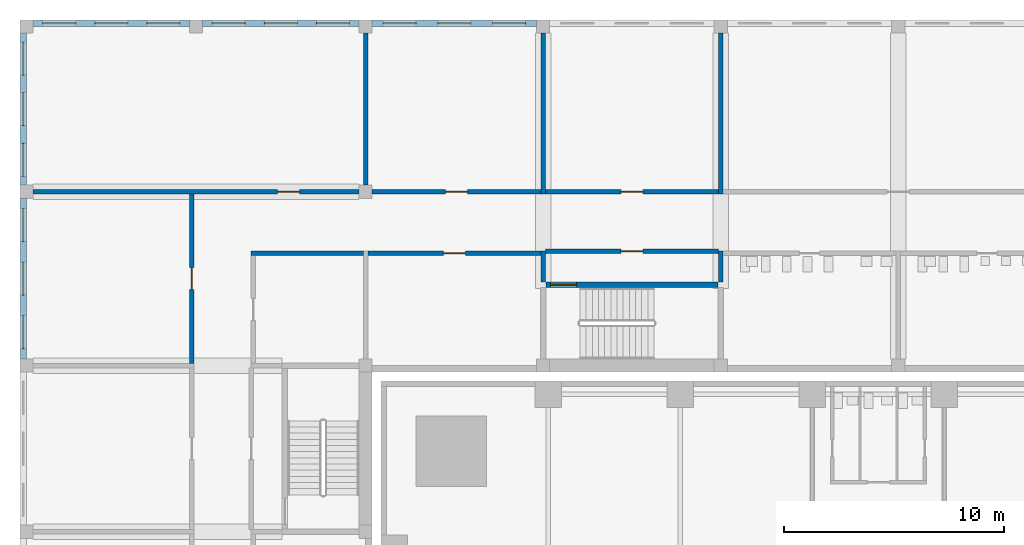
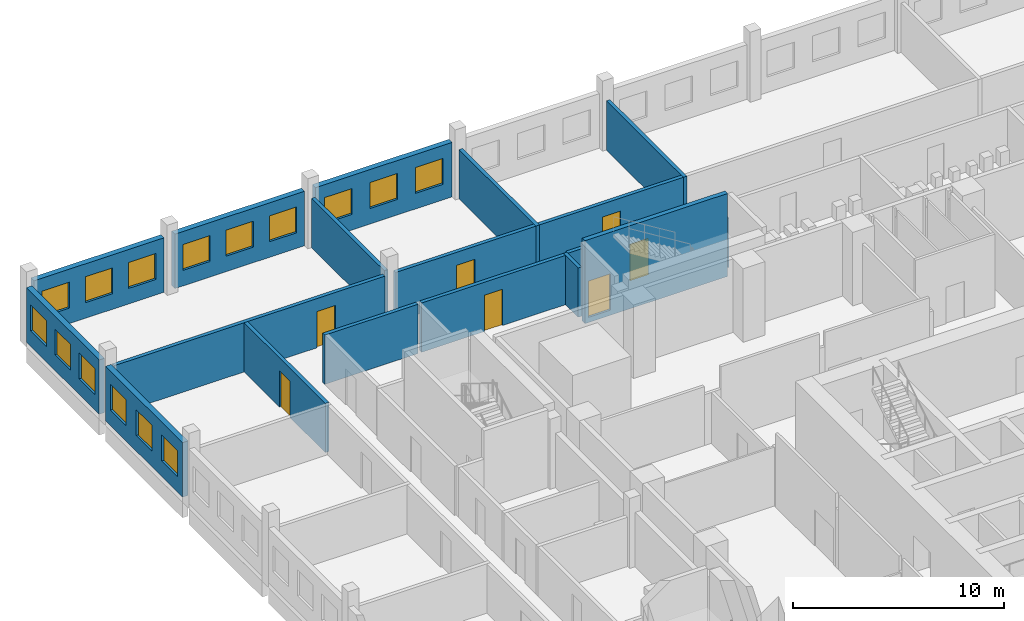
# One storey, part 16 of 24: 18 walls, 15 windows, 7 doors, 22 openings.
"""IFC4 building model written with IfcOpenShell, lengths in metres."""

from ifc_helpers import new_model, si_unit, direction, frame, frame_2d, origin, place, context, subcontext, project, spatial, rectangle, extrude, material, layer, layer_set, type_object, element, fill, save


model = new_model("IFC4")

# Units and contexts
model_context = context("Model", 3, precision=1e-05, world=origin(), true_north=direction((0.0, 1.0)))
body_context = subcontext(model_context, "Body", "Model", "MODEL_VIEW")
ifc_project = project(units=[si_unit("LENGTHUNIT", "METRE"), si_unit("AREAUNIT", "SQUARE_METRE"), si_unit("VOLUMEUNIT", "CUBIC_METRE"), si_unit("PLANEANGLEUNIT", "RADIAN"), si_unit("MASSUNIT", "GRAM", prefix="KILO")], contexts=[model_context])

# Site, building, storey
site_placement = place(None, origin())
site = spatial("IfcSite", under=ifc_project, at=site_placement, CompositionType="ELEMENT")
building_placement = place(site_placement, origin())
building = spatial("IfcBuilding", under=site, at=building_placement, Name="Amberfall Residences", CompositionType="ELEMENT")
storey_placement = place(building_placement, frame((0.0, 0.0, 19.0)))
storey = spatial("IfcBuildingStorey", under=building, at=storey_placement, Name="L04", CompositionType="ELEMENT", Elevation=19.0)

# Wall, openings, windows
ifc_material_1 = material(Name="Aerated block wall")
ifc_layer_1 = layer(ifc_material_1, 0.300048828125)
ifc_layer_set_1 = layer_set([ifc_layer_1], Name="School external wall 300")
wall_type_1 = type_object("IfcWallType", Name="School external wall 300", PredefinedType="SOLIDWALL", material=ifc_layer_set_1)
wall_1_placement = place(storey_placement, frame((35.75, 69.0, 0.0), z_axis=(0.0, 0.0, 1.0), x_axis=(0.0, 1.0, 0.0)))
wall_1 = element("IfcWall", 1, at=wall_1_placement, inside=storey, type_object=wall_type_1, Name="School external wall L04 EW8", PredefinedType="SOLIDWALL", context=body_context, shape_type="SweptSolid", body=[
    extrude(rectangle(XDim=7.300048828125, YDim=0.300048828125, at=frame_2d((3.64990234375, 0.0))), origin(), (0.0, 0.0, 1.0), 3.14990234375),
])
opening_1_placement = place(wall_1_placement, frame((0.466796875, 0.0, 0.89990234375)))
opening_1 = element("IfcOpeningElement", 2, at=opening_1_placement, cuts=wall_1, Name="Opening SWN1", PredefinedType="OPENING", context=body_context, shape_type="SweptSolid", body=[
    extrude(rectangle(XDim=1.5, YDim=1.5, at=frame_2d((0.75, 0.75))), frame((0.0, 0.159912109375, 0.0), z_axis=(0.0, -1.0, 0.0), x_axis=(1.0, 0.0, 0.0)), (0.0, 0.0, 1.0), 0.320068359375),
])
opening_2_placement = place(wall_1_placement, frame((2.89990234375, 0.0, 0.89990234375)))
opening_2 = element("IfcOpeningElement", 3, at=opening_2_placement, cuts=wall_1, Name="Opening SWN1", PredefinedType="OPENING", context=body_context, shape_type="SweptSolid", body=[
    extrude(rectangle(XDim=1.5, YDim=1.5, at=frame_2d((0.75, 0.75))), frame((0.0, 0.159912109375, 0.0), z_axis=(0.0, -1.0, 0.0), x_axis=(1.0, 0.0, 0.0)), (0.0, 0.0, 1.0), 0.320068359375),
])
opening_3_placement = place(wall_1_placement, frame((5.333251953125, 0.0, 0.89990234375)))
opening_3 = element("IfcOpeningElement", 4, at=opening_3_placement, cuts=wall_1, Name="Opening SWN1", PredefinedType="OPENING", context=body_context, shape_type="SweptSolid", body=[
    extrude(rectangle(XDim=1.5, YDim=1.5, at=frame_2d((0.75, 0.75))), frame((0.0, 0.159912109375, 0.0), z_axis=(0.0, -1.0, 0.0), x_axis=(1.0, 0.0, 0.0)), (0.0, 0.0, 1.0), 0.320068359375),
])
ifc_material_2 = material(Name="Aluminium window", Category="aluminium")
window_type = type_object("IfcWindowType", Name="School window 1500 x 1500", PartitioningType="DOUBLE_PANEL_HORIZONTAL", PredefinedType="WINDOW", material=ifc_material_2)
window_1_placement = place(opening_1_placement, origin())
window_1 = element("IfcWindow", 5, at=window_1_placement, inside=storey, type_object=window_type, Name="School window L04 EW8-1", OverallHeight=1.5, OverallWidth=1.5, PartitioningType="DOUBLE_PANEL_HORIZONTAL", PredefinedType="WINDOW", context=body_context, shape_type="SweptSolid", body=[
    extrude(rectangle(XDim=1.5, YDim=1.5, at=frame_2d((0.75, 0.75))), frame((0.0, 0.030029296875, 0.0), z_axis=(0.0, -1.0, 0.0), x_axis=(1.0, 0.0, 0.0)), (0.0, 0.0, 1.0), 0.06005859375),
])
fill(opening_1, window_1)
window_2_placement = place(opening_2_placement, origin())
window_2 = element("IfcWindow", 6, at=window_2_placement, inside=storey, type_object=window_type, Name="School window L04 EW8-2", OverallHeight=1.5, OverallWidth=1.5, PartitioningType="DOUBLE_PANEL_HORIZONTAL", PredefinedType="WINDOW", context=body_context, shape_type="SweptSolid", body=[
    extrude(rectangle(XDim=1.5, YDim=1.5, at=frame_2d((0.75, 0.75))), frame((0.0, 0.030029296875, 0.0), z_axis=(0.0, -1.0, 0.0), x_axis=(1.0, 0.0, 0.0)), (0.0, 0.0, 1.0), 0.06005859375),
])
fill(opening_2, window_2)
window_3_placement = place(opening_3_placement, origin())
window_3 = element("IfcWindow", 7, at=window_3_placement, inside=storey, type_object=window_type, Name="School window L04 EW8-3", OverallHeight=1.5, OverallWidth=1.5, PartitioningType="DOUBLE_PANEL_HORIZONTAL", PredefinedType="WINDOW", context=body_context, shape_type="SweptSolid", body=[
    extrude(rectangle(XDim=1.5, YDim=1.5, at=frame_2d((0.75, 0.75))), frame((0.0, 0.030029296875, 0.0), z_axis=(0.0, -1.0, 0.0), x_axis=(1.0, 0.0, 0.0)), (0.0, 0.0, 1.0), 0.06005859375),
])
fill(opening_3, window_3)

wall_2_placement = place(storey_placement, frame((35.75, 76.89990234375, 0.0), z_axis=(0.0, 0.0, 1.0), x_axis=(0.0, 1.0, 0.0)))
wall_2 = element("IfcWall", 8, at=wall_2_placement, inside=storey, type_object=wall_type_1, Name="School external wall L04 EW9", PredefinedType="SOLIDWALL", context=body_context, shape_type="SweptSolid", body=[
    extrude(rectangle(XDim=6.900146484375, YDim=0.300048828125, at=frame_2d((3.4501953125, 0.0))), origin(), (0.0, 0.0, 1.0), 3.14990234375),
])
opening_4_placement = place(wall_2_placement, frame((0.39990234375, 0.0, 0.89990234375)))
opening_4 = element("IfcOpeningElement", 9, at=opening_4_placement, cuts=wall_2, Name="Opening SWN1", PredefinedType="OPENING", context=body_context, shape_type="SweptSolid", body=[
    extrude(rectangle(XDim=1.5, YDim=1.5, at=frame_2d((0.75, 0.75))), frame((0.0, 0.159912109375, 0.0), z_axis=(0.0, -1.0, 0.0), x_axis=(1.0, 0.0, 0.0)), (0.0, 0.0, 1.0), 0.320068359375),
])
opening_5_placement = place(wall_2_placement, frame((2.699951171875, 0.0, 0.89990234375)))
opening_5 = element("IfcOpeningElement", 10, at=opening_5_placement, cuts=wall_2, Name="Opening SWN1", PredefinedType="OPENING", context=body_context, shape_type="SweptSolid", body=[
    extrude(rectangle(XDim=1.5, YDim=1.5, at=frame_2d((0.75, 0.75))), frame((0.0, 0.159912109375, 0.0), z_axis=(0.0, -1.0, 0.0), x_axis=(1.0, 0.0, 0.0)), (0.0, 0.0, 1.0), 0.320068359375),
])
opening_6_placement = place(wall_2_placement, frame((5.0, 0.0, 0.89990234375)))
opening_6 = element("IfcOpeningElement", 11, at=opening_6_placement, cuts=wall_2, Name="Opening SWN1", PredefinedType="OPENING", context=body_context, shape_type="SweptSolid", body=[
    extrude(rectangle(XDim=1.5, YDim=1.5, at=frame_2d((0.75, 0.75))), frame((0.0, 0.159912109375, 0.0), z_axis=(0.0, -1.0, 0.0), x_axis=(1.0, 0.0, 0.0)), (0.0, 0.0, 1.0), 0.320068359375),
])
window_4_placement = place(opening_4_placement, origin())
window_4 = element("IfcWindow", 12, at=window_4_placement, inside=storey, type_object=window_type, Name="School window L04 EW9-1", OverallHeight=1.5, OverallWidth=1.5, PartitioningType="DOUBLE_PANEL_HORIZONTAL", PredefinedType="WINDOW", context=body_context, shape_type="SweptSolid", body=[
    extrude(rectangle(XDim=1.5, YDim=1.5, at=frame_2d((0.75, 0.75))), frame((0.0, 0.030029296875, 0.0), z_axis=(0.0, -1.0, 0.0), x_axis=(1.0, 0.0, 0.0)), (0.0, 0.0, 1.0), 0.06005859375),
])
fill(opening_4, window_4)
window_5_placement = place(opening_5_placement, origin())
window_5 = element("IfcWindow", 13, at=window_5_placement, inside=storey, type_object=window_type, Name="School window L04 EW9-2", OverallHeight=1.5, OverallWidth=1.5, PartitioningType="DOUBLE_PANEL_HORIZONTAL", PredefinedType="WINDOW", context=body_context, shape_type="SweptSolid", body=[
    extrude(rectangle(XDim=1.5, YDim=1.5, at=frame_2d((0.75, 0.75))), frame((0.0, 0.030029296875, 0.0), z_axis=(0.0, -1.0, 0.0), x_axis=(1.0, 0.0, 0.0)), (0.0, 0.0, 1.0), 0.06005859375),
])
fill(opening_5, window_5)
window_6_placement = place(opening_6_placement, origin())
window_6 = element("IfcWindow", 14, at=window_6_placement, inside=storey, type_object=window_type, Name="School window L04 EW9-3", OverallHeight=1.5, OverallWidth=1.5, PartitioningType="DOUBLE_PANEL_HORIZONTAL", PredefinedType="WINDOW", context=body_context, shape_type="SweptSolid", body=[
    extrude(rectangle(XDim=1.5, YDim=1.5, at=frame_2d((0.75, 0.75))), frame((0.0, 0.030029296875, 0.0), z_axis=(0.0, -1.0, 0.0), x_axis=(1.0, 0.0, 0.0)), (0.0, 0.0, 1.0), 0.06005859375),
])
fill(opening_6, window_6)

wall_3_placement = place(storey_placement, frame((36.199951171875, 84.25, 0.0), z_axis=(0.0, 0.0, 1.0), x_axis=(1.0, 0.0, 0.0)))
wall_3 = element("IfcWall", 15, at=wall_3_placement, inside=storey, type_object=wall_type_1, Name="School external wall L04 EN0", PredefinedType="SOLIDWALL", context=body_context, shape_type="SweptSolid", body=[
    extrude(rectangle(XDim=7.10009765625, YDim=0.300048828125, at=frame_2d((3.550048828125, 0.0))), origin(), (0.0, 0.0, 1.0), 3.14990234375),
])
opening_7_placement = place(wall_3_placement, frame((0.433349609375, 0.0, 0.89990234375)))
opening_7 = element("IfcOpeningElement", 16, at=opening_7_placement, cuts=wall_3, Name="Opening SWN1", PredefinedType="OPENING", context=body_context, shape_type="SweptSolid", body=[
    extrude(rectangle(XDim=1.5, YDim=1.5, at=frame_2d((0.75, 0.75))), frame((0.0, 0.159912109375, 0.0), z_axis=(0.0, -1.0, 0.0), x_axis=(1.0, 0.0, 0.0)), (0.0, 0.0, 1.0), 0.320068359375),
])
opening_8_placement = place(wall_3_placement, frame((2.800048828125, 0.0, 0.89990234375)))
opening_8 = element("IfcOpeningElement", 17, at=opening_8_placement, cuts=wall_3, Name="Opening SWN1", PredefinedType="OPENING", context=body_context, shape_type="SweptSolid", body=[
    extrude(rectangle(XDim=1.5, YDim=1.5, at=frame_2d((0.75, 0.75))), frame((0.0, 0.159912109375, 0.0), z_axis=(0.0, -1.0, 0.0), x_axis=(1.0, 0.0, 0.0)), (0.0, 0.0, 1.0), 0.320068359375),
])
opening_9_placement = place(wall_3_placement, frame((5.166748046875, 0.0, 0.89990234375)))
opening_9 = element("IfcOpeningElement", 18, at=opening_9_placement, cuts=wall_3, Name="Opening SWN1", PredefinedType="OPENING", context=body_context, shape_type="SweptSolid", body=[
    extrude(rectangle(XDim=1.5, YDim=1.5, at=frame_2d((0.75, 0.75))), frame((0.0, 0.159912109375, 0.0), z_axis=(0.0, -1.0, 0.0), x_axis=(1.0, 0.0, 0.0)), (0.0, 0.0, 1.0), 0.320068359375),
])
window_7_placement = place(opening_7_placement, origin())
window_7 = element("IfcWindow", 19, at=window_7_placement, inside=storey, type_object=window_type, Name="School window L04 EN0-1", OverallHeight=1.5, OverallWidth=1.5, PartitioningType="DOUBLE_PANEL_HORIZONTAL", PredefinedType="WINDOW", context=body_context, shape_type="SweptSolid", body=[
    extrude(rectangle(XDim=1.5, YDim=1.5, at=frame_2d((0.75, 0.75))), frame((0.0, 0.030029296875, 0.0), z_axis=(0.0, -1.0, 0.0), x_axis=(1.0, 0.0, 0.0)), (0.0, 0.0, 1.0), 0.06005859375),
])
fill(opening_7, window_7)
window_8_placement = place(opening_8_placement, origin())
window_8 = element("IfcWindow", 20, at=window_8_placement, inside=storey, type_object=window_type, Name="School window L04 EN0-2", OverallHeight=1.5, OverallWidth=1.5, PartitioningType="DOUBLE_PANEL_HORIZONTAL", PredefinedType="WINDOW", context=body_context, shape_type="SweptSolid", body=[
    extrude(rectangle(XDim=1.5, YDim=1.5, at=frame_2d((0.75, 0.75))), frame((0.0, 0.030029296875, 0.0), z_axis=(0.0, -1.0, 0.0), x_axis=(1.0, 0.0, 0.0)), (0.0, 0.0, 1.0), 0.06005859375),
])
fill(opening_8, window_8)
window_9_placement = place(opening_9_placement, origin())
window_9 = element("IfcWindow", 21, at=window_9_placement, inside=storey, type_object=window_type, Name="School window L04 EN0-3", OverallHeight=1.5, OverallWidth=1.5, PartitioningType="DOUBLE_PANEL_HORIZONTAL", PredefinedType="WINDOW", context=body_context, shape_type="SweptSolid", body=[
    extrude(rectangle(XDim=1.5, YDim=1.5, at=frame_2d((0.75, 0.75))), frame((0.0, 0.030029296875, 0.0), z_axis=(0.0, -1.0, 0.0), x_axis=(1.0, 0.0, 0.0)), (0.0, 0.0, 1.0), 0.06005859375),
])
fill(opening_9, window_9)

wall_4_placement = place(storey_placement, frame((43.89990234375, 84.25, 0.0), z_axis=(0.0, 0.0, 1.0), x_axis=(1.0, 0.0, 0.0)))
wall_4 = element("IfcWall", 22, at=wall_4_placement, inside=storey, type_object=wall_type_1, Name="School external wall L04 EN1", PredefinedType="SOLIDWALL", context=body_context, shape_type="SweptSolid", body=[
    extrude(rectangle(XDim=7.10009765625, YDim=0.300048828125, at=frame_2d((3.550048828125, 0.0))), origin(), (0.0, 0.0, 1.0), 3.14990234375),
])
opening_10_placement = place(wall_4_placement, frame((0.433349609375, 0.0, 0.89990234375)))
opening_10 = element("IfcOpeningElement", 23, at=opening_10_placement, cuts=wall_4, Name="Opening SWN1", PredefinedType="OPENING", context=body_context, shape_type="SweptSolid", body=[
    extrude(rectangle(XDim=1.5, YDim=1.5, at=frame_2d((0.75, 0.75))), frame((0.0, 0.159912109375, 0.0), z_axis=(0.0, -1.0, 0.0), x_axis=(1.0, 0.0, 0.0)), (0.0, 0.0, 1.0), 0.320068359375),
])
opening_11_placement = place(wall_4_placement, frame((2.800048828125, 0.0, 0.89990234375)))
opening_11 = element("IfcOpeningElement", 24, at=opening_11_placement, cuts=wall_4, Name="Opening SWN1", PredefinedType="OPENING", context=body_context, shape_type="SweptSolid", body=[
    extrude(rectangle(XDim=1.5, YDim=1.5, at=frame_2d((0.75, 0.75))), frame((0.0, 0.159912109375, 0.0), z_axis=(0.0, -1.0, 0.0), x_axis=(1.0, 0.0, 0.0)), (0.0, 0.0, 1.0), 0.320068359375),
])
opening_12_placement = place(wall_4_placement, frame((5.166748046875, 0.0, 0.89990234375)))
opening_12 = element("IfcOpeningElement", 25, at=opening_12_placement, cuts=wall_4, Name="Opening SWN1", PredefinedType="OPENING", context=body_context, shape_type="SweptSolid", body=[
    extrude(rectangle(XDim=1.5, YDim=1.5, at=frame_2d((0.75, 0.75))), frame((0.0, 0.159912109375, 0.0), z_axis=(0.0, -1.0, 0.0), x_axis=(1.0, 0.0, 0.0)), (0.0, 0.0, 1.0), 0.320068359375),
])
window_10_placement = place(opening_10_placement, origin())
window_10 = element("IfcWindow", 26, at=window_10_placement, inside=storey, type_object=window_type, Name="School window L04 EN1-1", OverallHeight=1.5, OverallWidth=1.5, PartitioningType="DOUBLE_PANEL_HORIZONTAL", PredefinedType="WINDOW", context=body_context, shape_type="SweptSolid", body=[
    extrude(rectangle(XDim=1.5, YDim=1.5, at=frame_2d((0.75, 0.75))), frame((0.0, 0.030029296875, 0.0), z_axis=(0.0, -1.0, 0.0), x_axis=(1.0, 0.0, 0.0)), (0.0, 0.0, 1.0), 0.06005859375),
])
fill(opening_10, window_10)
window_11_placement = place(opening_11_placement, origin())
window_11 = element("IfcWindow", 27, at=window_11_placement, inside=storey, type_object=window_type, Name="School window L04 EN1-2", OverallHeight=1.5, OverallWidth=1.5, PartitioningType="DOUBLE_PANEL_HORIZONTAL", PredefinedType="WINDOW", context=body_context, shape_type="SweptSolid", body=[
    extrude(rectangle(XDim=1.5, YDim=1.5, at=frame_2d((0.75, 0.75))), frame((0.0, 0.030029296875, 0.0), z_axis=(0.0, -1.0, 0.0), x_axis=(1.0, 0.0, 0.0)), (0.0, 0.0, 1.0), 0.06005859375),
])
fill(opening_11, window_11)
window_12_placement = place(opening_12_placement, origin())
window_12 = element("IfcWindow", 28, at=window_12_placement, inside=storey, type_object=window_type, Name="School window L04 EN1-3", OverallHeight=1.5, OverallWidth=1.5, PartitioningType="DOUBLE_PANEL_HORIZONTAL", PredefinedType="WINDOW", context=body_context, shape_type="SweptSolid", body=[
    extrude(rectangle(XDim=1.5, YDim=1.5, at=frame_2d((0.75, 0.75))), frame((0.0, 0.030029296875, 0.0), z_axis=(0.0, -1.0, 0.0), x_axis=(1.0, 0.0, 0.0)), (0.0, 0.0, 1.0), 0.06005859375),
])
fill(opening_12, window_12)

wall_5_placement = place(storey_placement, frame((51.60009765625, 84.25, 0.0), z_axis=(0.0, 0.0, 1.0), x_axis=(1.0, 0.0, 0.0)))
wall_5 = element("IfcWall", 29, at=wall_5_placement, inside=storey, type_object=wall_type_1, Name="School external wall L04 EN2", PredefinedType="SOLIDWALL", context=body_context, shape_type="SweptSolid", body=[
    extrude(rectangle(XDim=7.466796875, YDim=0.300048828125, at=frame_2d((3.7333984375, 0.0))), origin(), (0.0, 0.0, 1.0), 3.14990234375),
])
opening_13_placement = place(wall_5_placement, frame((0.494384765625, 0.0, 0.89990234375)))
opening_13 = element("IfcOpeningElement", 30, at=opening_13_placement, cuts=wall_5, Name="Opening SWN1", PredefinedType="OPENING", context=body_context, shape_type="SweptSolid", body=[
    extrude(rectangle(XDim=1.5, YDim=1.5, at=frame_2d((0.75, 0.75))), frame((0.0, 0.159912109375, 0.0), z_axis=(0.0, -1.0, 0.0), x_axis=(1.0, 0.0, 0.0)), (0.0, 0.0, 1.0), 0.320068359375),
])
opening_14_placement = place(wall_5_placement, frame((2.9833984375, 0.0, 0.89990234375)))
opening_14 = element("IfcOpeningElement", 31, at=opening_14_placement, cuts=wall_5, Name="Opening SWN1", PredefinedType="OPENING", context=body_context, shape_type="SweptSolid", body=[
    extrude(rectangle(XDim=1.5, YDim=1.5, at=frame_2d((0.75, 0.75))), frame((0.0, 0.159912109375, 0.0), z_axis=(0.0, -1.0, 0.0), x_axis=(1.0, 0.0, 0.0)), (0.0, 0.0, 1.0), 0.320068359375),
])
opening_15_placement = place(wall_5_placement, frame((5.472412109375, 0.0, 0.89990234375)))
opening_15 = element("IfcOpeningElement", 32, at=opening_15_placement, cuts=wall_5, Name="Opening SWN1", PredefinedType="OPENING", context=body_context, shape_type="SweptSolid", body=[
    extrude(rectangle(XDim=1.5, YDim=1.5, at=frame_2d((0.75, 0.75))), frame((0.0, 0.159912109375, 0.0), z_axis=(0.0, -1.0, 0.0), x_axis=(1.0, 0.0, 0.0)), (0.0, 0.0, 1.0), 0.320068359375),
])
window_13_placement = place(opening_13_placement, origin())
window_13 = element("IfcWindow", 33, at=window_13_placement, inside=storey, type_object=window_type, Name="School window L04 EN2-1", OverallHeight=1.5, OverallWidth=1.5, PartitioningType="DOUBLE_PANEL_HORIZONTAL", PredefinedType="WINDOW", context=body_context, shape_type="SweptSolid", body=[
    extrude(rectangle(XDim=1.5, YDim=1.5, at=frame_2d((0.75, 0.75))), frame((0.0, 0.030029296875, 0.0), z_axis=(0.0, -1.0, 0.0), x_axis=(1.0, 0.0, 0.0)), (0.0, 0.0, 1.0), 0.06005859375),
])
fill(opening_13, window_13)
window_14_placement = place(opening_14_placement, origin())
window_14 = element("IfcWindow", 34, at=window_14_placement, inside=storey, type_object=window_type, Name="School window L04 EN2-2", OverallHeight=1.5, OverallWidth=1.5, PartitioningType="DOUBLE_PANEL_HORIZONTAL", PredefinedType="WINDOW", context=body_context, shape_type="SweptSolid", body=[
    extrude(rectangle(XDim=1.5, YDim=1.5, at=frame_2d((0.75, 0.75))), frame((0.0, 0.030029296875, 0.0), z_axis=(0.0, -1.0, 0.0), x_axis=(1.0, 0.0, 0.0)), (0.0, 0.0, 1.0), 0.06005859375),
])
fill(opening_14, window_14)
window_15_placement = place(opening_15_placement, origin())
window_15 = element("IfcWindow", 35, at=window_15_placement, inside=storey, type_object=window_type, Name="School window L04 EN2-3", OverallHeight=1.5, OverallWidth=1.5, PartitioningType="DOUBLE_PANEL_HORIZONTAL", PredefinedType="WINDOW", context=body_context, shape_type="SweptSolid", body=[
    extrude(rectangle(XDim=1.5, YDim=1.5, at=frame_2d((0.75, 0.75))), frame((0.0, 0.030029296875, 0.0), z_axis=(0.0, -1.0, 0.0), x_axis=(1.0, 0.0, 0.0)), (0.0, 0.0, 1.0), 0.06005859375),
])
fill(opening_15, window_15)

# Wall, opening, door
ifc_layer_2 = layer(ifc_material_1, 0.199951171875)
ifc_layer_set_2 = layer_set([ifc_layer_2], Name="School partition 200")
wall_type_2 = type_object("IfcWallType", Name="School partition 200", PredefinedType="PARTITIONING", material=ifc_layer_set_2)
wall_6_placement = place(storey_placement, frame((43.39990234375, 68.800048828125, 0.0), z_axis=(0.0, 0.0, 1.0), x_axis=(0.0, 1.0, 0.0)))
wall_6 = element("IfcWall", 36, at=wall_6_placement, inside=storey, type_object=wall_type_2, Name="School partition L04 CWW8", PredefinedType="PARTITIONING", context=body_context, shape_type="SweptSolid", body=[
    extrude(rectangle(XDim=7.699951171875, YDim=0.199951171875, at=frame_2d((3.85009765625, 0.0))), origin(), (0.0, 0.0, 1.0), 2.85009765625),
])
opening_16_placement = place(wall_6_placement, frame((3.35009765625, 0.0, 0.0)))
opening_16 = element("IfcOpeningElement", 37, at=opening_16_placement, cuts=wall_6, Name="Opening SD5", PredefinedType="OPENING", context=body_context, shape_type="SweptSolid", body=[
    extrude(rectangle(XDim=1.0, YDim=2.10009765625, at=frame_2d((0.5, 1.050048828125))), frame((0.0, 0.10986328125, 0.0), z_axis=(0.0, -1.0, 0.0), x_axis=(1.0, 0.0, 0.0)), (0.0, 0.0, 1.0), 0.219970703125),
])
ifc_material_3 = material(Name="Timber door", Category="wood")
door_type_1 = type_object("IfcDoorType", Name="School classroom door 1000 x 2100", OperationType="SINGLE_SWING_LEFT", PredefinedType="DOOR", material=ifc_material_3)
door_1_placement = place(opening_16_placement, origin())
door_1 = element("IfcDoor", 38, at=door_1_placement, inside=storey, type_object=door_type_1, Name="School door L04 CWW8-1", OperationType="SINGLE_SWING_LEFT", OverallHeight=2.10009765625, OverallWidth=1.0, PredefinedType="DOOR", context=body_context, shape_type="SweptSolid", body=[
    extrude(rectangle(XDim=1.0, YDim=2.10009765625, at=frame_2d((0.5, 1.050048828125))), frame((0.0, 0.02490234375, 0.0), z_axis=(0.0, -1.0, 0.0), x_axis=(1.0, 0.0, 0.0)), (0.0, 0.0, 1.0), 0.050048828125),
])
fill(opening_16, door_1)

wall_7_placement = place(storey_placement, frame((36.199951171875, 76.60009765625, 0.0), z_axis=(0.0, 0.0, 1.0), x_axis=(1.0, 0.0, 0.0)))
wall_7 = element("IfcWall", 39, at=wall_7_placement, inside=storey, type_object=wall_type_2, Name="School partition L04 LIBS", PredefinedType="PARTITIONING", context=body_context, shape_type="SweptSolid", body=[
    extrude(rectangle(XDim=14.800048828125, YDim=0.199951171875, at=frame_2d((7.39990234375, 0.0))), origin(), (0.0, 0.0, 1.0), 2.85009765625),
])
opening_17_placement = place(wall_7_placement, frame((11.10009765625, 0.0, 0.0)))
opening_17 = element("IfcOpeningElement", 40, at=opening_17_placement, cuts=wall_7, Name="Opening SD5", PredefinedType="OPENING", context=body_context, shape_type="SweptSolid", body=[
    extrude(rectangle(XDim=1.0, YDim=2.10009765625, at=frame_2d((0.5, 1.050048828125))), frame((0.0, 0.10986328125, 0.0), z_axis=(0.0, -1.0, 0.0), x_axis=(1.0, 0.0, 0.0)), (0.0, 0.0, 1.0), 0.219970703125),
])
door_2_placement = place(opening_17_placement, origin())
door_2 = element("IfcDoor", 41, at=door_2_placement, inside=storey, type_object=door_type_1, Name="School door L04 LIBS-1", OperationType="SINGLE_SWING_LEFT", OverallHeight=2.10009765625, OverallWidth=1.0, PredefinedType="DOOR", context=body_context, shape_type="SweptSolid", body=[
    extrude(rectangle(XDim=1.0, YDim=2.10009765625, at=frame_2d((0.5, 1.050048828125))), frame((0.0, 0.02490234375, 0.0), z_axis=(0.0, -1.0, 0.0), x_axis=(1.0, 0.0, 0.0)), (0.0, 0.0, 1.0), 0.050048828125),
])
fill(opening_17, door_2)

# Wall
wall_8_placement = place(storey_placement, frame((51.300048828125, 76.89990234375, 0.0), z_axis=(0.0, 0.0, 1.0), x_axis=(0.0, 1.0, 0.0)))
element("IfcWall", 42, at=wall_8_placement, inside=storey, type_object=wall_type_2, Name="School partition L04 LIBE", PredefinedType="PARTITIONING", context=body_context, shape_type="SweptSolid", body=[
    extrude(rectangle(XDim=6.900146484375, YDim=0.199951171875, at=frame_2d((3.4501953125, 0.0))), origin(), (0.0, 0.0, 1.0), 2.85009765625),
])

# Wall, opening, door
wall_9_placement = place(storey_placement, frame((51.60009765625, 76.60009765625, 0.0), z_axis=(0.0, 0.0, 1.0), x_axis=(1.0, 0.0, 0.0)))
wall_9 = element("IfcWall", 43, at=wall_9_placement, inside=storey, type_object=wall_type_2, Name="School partition L04 CWN052", PredefinedType="PARTITIONING", context=body_context, shape_type="SweptSolid", body=[
    extrude(rectangle(XDim=7.6669921875, YDim=0.199951171875, at=frame_2d((3.83349609375, 0.0))), origin(), (0.0, 0.0, 1.0), 2.85009765625),
])
opening_18_placement = place(wall_9_placement, frame((3.33349609375, 0.0, 0.0)))
opening_18 = element("IfcOpeningElement", 44, at=opening_18_placement, cuts=wall_9, Name="Opening SD5", PredefinedType="OPENING", context=body_context, shape_type="SweptSolid", body=[
    extrude(rectangle(XDim=1.0, YDim=2.10009765625, at=frame_2d((0.5, 1.050048828125))), frame((0.0, 0.10986328125, 0.0), z_axis=(0.0, -1.0, 0.0), x_axis=(1.0, 0.0, 0.0)), (0.0, 0.0, 1.0), 0.219970703125),
])
door_3_placement = place(opening_18_placement, origin())
door_3 = element("IfcDoor", 45, at=door_3_placement, inside=storey, type_object=door_type_1, Name="School door L04 CWN052-1", OperationType="SINGLE_SWING_LEFT", OverallHeight=2.10009765625, OverallWidth=1.0, PredefinedType="DOOR", context=body_context, shape_type="SweptSolid", body=[
    extrude(rectangle(XDim=1.0, YDim=2.10009765625, at=frame_2d((0.5, 1.050048828125))), frame((0.0, 0.02490234375, 0.0), z_axis=(0.0, -1.0, 0.0), x_axis=(1.0, 0.0, 0.0)), (0.0, 0.0, 1.0), 0.050048828125),
])
fill(opening_18, door_3)

wall_10_placement = place(storey_placement, frame((59.467041015625, 76.60009765625, 0.0), z_axis=(0.0, 0.0, 1.0), x_axis=(1.0, 0.0, 0.0)))
wall_10 = element("IfcWall", 46, at=wall_10_placement, inside=storey, type_object=wall_type_2, Name="School partition L04 CWN159", PredefinedType="PARTITIONING", context=body_context, shape_type="SweptSolid", body=[
    extrude(rectangle(XDim=7.865966796875, YDim=0.199951171875, at=frame_2d((3.93310546875, 0.0))), origin(), (0.0, 0.0, 1.0), 2.85009765625),
])
opening_19_placement = place(wall_10_placement, frame((3.43310546875, 0.0, 0.0)))
opening_19 = element("IfcOpeningElement", 47, at=opening_19_placement, cuts=wall_10, Name="Opening SD5", PredefinedType="OPENING", context=body_context, shape_type="SweptSolid", body=[
    extrude(rectangle(XDim=1.0, YDim=2.10009765625, at=frame_2d((0.5, 1.050048828125))), frame((0.0, 0.10986328125, 0.0), z_axis=(0.0, -1.0, 0.0), x_axis=(1.0, 0.0, 0.0)), (0.0, 0.0, 1.0), 0.219970703125),
])
door_4_placement = place(opening_19_placement, origin())
door_4 = element("IfcDoor", 48, at=door_4_placement, inside=storey, type_object=door_type_1, Name="School door L04 CWN159-1", OperationType="SINGLE_SWING_LEFT", OverallHeight=2.10009765625, OverallWidth=1.0, PredefinedType="DOOR", context=body_context, shape_type="SweptSolid", body=[
    extrude(rectangle(XDim=1.0, YDim=2.10009765625, at=frame_2d((0.5, 1.050048828125))), frame((0.0, 0.02490234375, 0.0), z_axis=(0.0, -1.0, 0.0), x_axis=(1.0, 0.0, 0.0)), (0.0, 0.0, 1.0), 0.050048828125),
])
fill(opening_19, door_4)

# Walls
for number, where, z_axis, x_axis, name in (
    (49, (59.366943359375, 76.5, 0.0), (0.0, 0.0, 1.0), (0.0, 1.0, 0.0), "School partition L04 PN5937"),
    (50, (67.43310546875, 76.5, 0.0), (0.0, 0.0, 1.0), (0.0, 1.0, 0.0), "School partition L04 PN6743"),
):
    element("IfcWall", number, at=place(storey_placement, frame(where, z_axis=z_axis, x_axis=x_axis)), inside=storey, type_object=wall_type_2, Name=name, PredefinedType="PARTITIONING", context=body_context, shape_type="SweptSolid", body=[
        extrude(rectangle(XDim=7.300048828125, YDim=0.199951171875, at=frame_2d((3.64990234375, 0.0))), origin(), (0.0, 0.0, 1.0), 2.85009765625),
    ])

# Wall, opening, door
wall_11_placement = place(storey_placement, frame((51.39990234375, 73.800048828125, 0.0), z_axis=(0.0, 0.0, 1.0), x_axis=(1.0, 0.0, 0.0)))
wall_11 = element("IfcWall", 51, at=wall_11_placement, inside=storey, type_object=wall_type_2, Name="School partition L04 CWS51", PredefinedType="PARTITIONING", context=body_context, shape_type="SweptSolid", body=[
    extrude(rectangle(XDim=7.8671875, YDim=0.199951171875, at=frame_2d((3.93359375, 0.0))), origin(), (0.0, 0.0, 1.0), 2.85009765625),
])
opening_20_placement = place(wall_11_placement, frame((3.43359375, 0.0, 0.0)))
opening_20 = element("IfcOpeningElement", 52, at=opening_20_placement, cuts=wall_11, Name="Opening SD5", PredefinedType="OPENING", context=body_context, shape_type="SweptSolid", body=[
    extrude(rectangle(XDim=1.0, YDim=2.10009765625, at=frame_2d((0.5, 1.050048828125))), frame((0.0, 0.10986328125, 0.0), z_axis=(0.0, -1.0, 0.0), x_axis=(1.0, 0.0, 0.0)), (0.0, 0.0, 1.0), 0.219970703125),
])
door_5_placement = place(opening_20_placement, origin())
door_5 = element("IfcDoor", 53, at=door_5_placement, inside=storey, type_object=door_type_1, Name="School door L04 CWS51-1", OperationType="SINGLE_SWING_LEFT", OverallHeight=2.10009765625, OverallWidth=1.0, PredefinedType="DOOR", context=body_context, shape_type="SweptSolid", body=[
    extrude(rectangle(XDim=1.0, YDim=2.10009765625, at=frame_2d((0.5, 1.050048828125))), frame((0.0, 0.02490234375, 0.0), z_axis=(0.0, -1.0, 0.0), x_axis=(1.0, 0.0, 0.0)), (0.0, 0.0, 1.0), 0.050048828125),
])
fill(opening_20, door_5)

# Walls
for number, where, z_axis, x_axis, name in (
    (54, (59.366943359375, 72.5, 0.0), (0.0, 0.0, 1.0), (0.0, 1.0, 0.0), "School partition L04 PSA1"),
    (55, (67.43310546875, 72.5, 0.0), (0.0, 0.0, 1.0), (0.0, 1.0, 0.0), "School partition L04 PSA2"),
):
    element("IfcWall", number, at=place(storey_placement, frame(where, z_axis=z_axis, x_axis=x_axis)), inside=storey, type_object=wall_type_2, Name=name, PredefinedType="PARTITIONING", context=body_context, shape_type="SweptSolid", body=[
        extrude(rectangle(XDim=1.39990234375, YDim=0.199951171875, at=frame_2d((0.699951171875, 0.0))), origin(), (0.0, 0.0, 1.0), 2.85009765625),
    ])
wall_12_placement = place(storey_placement, frame((46.10009765625, 73.800048828125, 0.0), z_axis=(0.0, 0.0, 1.0), x_axis=(1.0, 0.0, 0.0)))
element("IfcWall", 56, at=wall_12_placement, inside=storey, type_object=wall_type_2, Name="School partition L04 E8N", PredefinedType="PARTITIONING", context=body_context, shape_type="SweptSolid", body=[
    extrude(rectangle(XDim=5.099853515625, YDim=0.199951171875, at=frame_2d((2.5498046875, 0.0))), origin(), (0.0, 0.0, 1.0), 2.85009765625),
])

# Wall, opening, door
wall_13_placement = place(storey_placement, frame((59.467041015625, 73.89990234375, 0.0), z_axis=(0.0, 0.0, 1.0), x_axis=(1.0, 0.0, 0.0)))
wall_13 = element("IfcWall", 57, at=wall_13_placement, inside=storey, type_object=wall_type_2, Name="School partition L04 CWLSS4", PredefinedType="PARTITIONING", context=body_context, shape_type="SweptSolid", body=[
    extrude(rectangle(XDim=7.865966796875, YDim=0.199951171875, at=frame_2d((3.93310546875, 0.0))), origin(), (0.0, 0.0, 1.0), 2.85009765625),
])
opening_21_placement = place(wall_13_placement, frame((3.43310546875, 0.0, 0.0)))
opening_21 = element("IfcOpeningElement", 58, at=opening_21_placement, cuts=wall_13, Name="Opening SD8", PredefinedType="OPENING", context=body_context, shape_type="SweptSolid", body=[
    extrude(rectangle(XDim=1.0, YDim=2.10009765625, at=frame_2d((0.5, 1.050048828125))), frame((0.0, 0.10986328125, 0.0), z_axis=(0.0, -1.0, 0.0), x_axis=(1.0, 0.0, 0.0)), (0.0, 0.0, 1.0), 0.219970703125),
])
door_type_2 = type_object("IfcDoorType", Name="School lobby door 1000 x 2100", OperationType="SINGLE_SWING_LEFT", PredefinedType="DOOR", material=ifc_material_3)
door_6_placement = place(opening_21_placement, origin())
door_6 = element("IfcDoor", 59, at=door_6_placement, inside=storey, type_object=door_type_2, Name="School door L04 CWLSS4-1", OperationType="SINGLE_SWING_LEFT", OverallHeight=2.10009765625, OverallWidth=1.0, PredefinedType="DOOR", context=body_context, shape_type="SweptSolid", body=[
    extrude(rectangle(XDim=1.0, YDim=2.10009765625, at=frame_2d((0.5, 1.050048828125))), frame((0.0, 0.02490234375, 0.0), z_axis=(0.0, -1.0, 0.0), x_axis=(1.0, 0.0, 0.0)), (0.0, 0.0, 1.0), 0.050048828125),
])
fill(opening_21, door_6)

ifc_material_4 = material(Name="Concrete C50", Category="concrete")
ifc_layer_3 = layer(ifc_material_4, 0.25)
ifc_layer_set_3 = layer_set([ifc_layer_3], Name="School stair core wall 250 C50")
wall_type_3 = type_object("IfcWallType", Name="School stair core wall 250 C50", PredefinedType="SHEAR", material=ifc_layer_set_3)
wall_14_placement = place(storey_placement, frame((59.491943359375, 72.375, -0.300048828125), z_axis=(0.0, 0.0, 1.0), x_axis=(1.0, 0.0, 0.0)))
wall_14 = element("IfcWall", 60, at=wall_14_placement, inside=storey, type_object=wall_type_3, Name="School core wall L04 SS4N", PredefinedType="SHEAR", context=body_context, shape_type="SweptSolid", body=[
    extrude(rectangle(XDim=7.816162109375, YDim=0.25, at=frame_2d((3.908203125, 0.0))), origin(), (0.0, 0.0, 1.0), 4.800048828125),
])
opening_22_placement = place(wall_14_placement, frame((0.199951171875, 0.0, 0.300048828125)))
opening_22 = element("IfcOpeningElement", 61, at=opening_22_placement, cuts=wall_14, Name="Opening SD4", PredefinedType="OPENING", context=body_context, shape_type="SweptSolid", body=[
    extrude(rectangle(XDim=1.199951171875, YDim=2.10009765625, at=frame_2d((0.60009765625, 1.050048828125))), frame((0.0, 0.135009765625, 0.0), z_axis=(0.0, -1.0, 0.0), x_axis=(1.0, 0.0, 0.0)), (0.0, 0.0, 1.0), 0.27001953125),
])
ifc_material_5 = material(Name="Steel fire door", Category="steel")
door_type_3 = type_object("IfcDoorType", Name="School stair door 1200 x 2100 FD120", OperationType="SINGLE_SWING_LEFT", PredefinedType="DOOR", material=ifc_material_5)
door_7_placement = place(opening_22_placement, origin())
door_7 = element("IfcDoor", 62, at=door_7_placement, inside=storey, type_object=door_type_3, Name="School stair door L04 SS4", OperationType="SINGLE_SWING_LEFT", OverallHeight=2.10009765625, OverallWidth=1.199951171875, PredefinedType="DOOR", context=body_context, shape_type="SweptSolid", body=[
    extrude(rectangle(XDim=1.199951171875, YDim=2.10009765625, at=frame_2d((0.60009765625, 1.050048828125))), frame((0.0, 0.02490234375, 0.0), z_axis=(0.0, -1.0, 0.0), x_axis=(1.0, 0.0, 0.0)), (0.0, 0.0, 1.0), 0.050048828125),
])
fill(opening_22, door_7)

save(model, "model.ifc")
